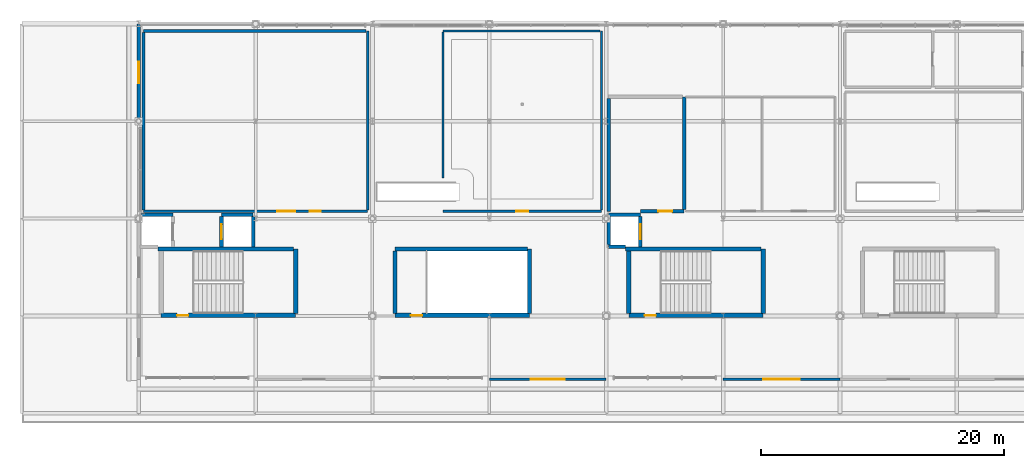
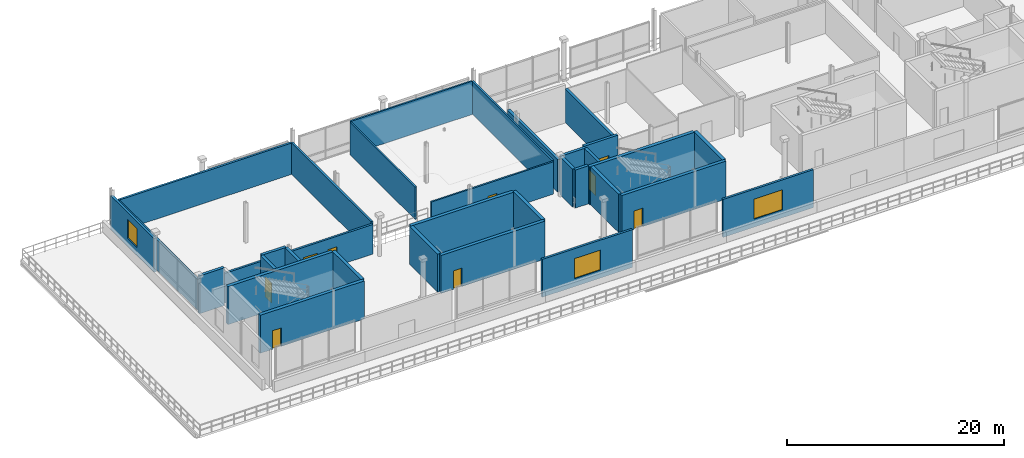
# One storey, part 16 of 26: 33 walls, 9 doors, 3 windows, 12 openings.
"""IFC4 building model written with IfcOpenShell, lengths in metres."""

from ifc_helpers import new_model, si_unit, direction, frame, frame_2d, origin, place, context, subcontext, project, spatial, rectangle, extrude, material, layer, layer_set, type_object, element, fill, save


model = new_model("IFC4")

# Units and contexts
model_context = context("Model", 3, precision=1e-05, world=origin(), true_north=direction((0.0, 1.0)))
body_context = subcontext(model_context, "Body", "Model", "MODEL_VIEW")
ifc_project = project(units=[si_unit("LENGTHUNIT", "METRE"), si_unit("AREAUNIT", "SQUARE_METRE"), si_unit("VOLUMEUNIT", "CUBIC_METRE"), si_unit("PLANEANGLEUNIT", "RADIAN"), si_unit("MASSUNIT", "GRAM", prefix="KILO")], contexts=[model_context])

# Site, building, storey
site_placement = place(None, origin())
site = spatial("IfcSite", under=ifc_project, at=site_placement, CompositionType="ELEMENT")
building_placement = place(site_placement, origin())
building = spatial("IfcBuilding", under=site, at=building_placement, Name="Danafjord Basin Convention Centre", CompositionType="ELEMENT")
storey_placement = place(building_placement, frame((0.0, 0.0, 24.89990234375)))
storey = spatial("IfcBuildingStorey", under=building, at=storey_placement, Name="L05", CompositionType="ELEMENT", Elevation=24.89990234375)

# Walls
ifc_material_1 = material(Name="Concrete C40/50", Category="concrete")
ifc_layer_1 = layer(ifc_material_1, 0.300048828125)
ifc_layer_set_1 = layer_set([ifc_layer_1], Name="Concrete C40/50")
wall_type_1 = type_object("IfcWallType", Name="WALL-CW-CORE300", PredefinedType="SHEAR", material=ifc_layer_set_1)
wall_1_placement = place(storey_placement, frame((12.39990234375, 24.300048828125, 0.0), z_axis=(0.0, 0.0, 1.0), x_axis=(-1.0, 0.0, 0.0)))
element("IfcWall", 1, at=wall_1_placement, inside=storey, type_object=wall_type_1, Name="Lift LF-FF01 shaft shear wall", PredefinedType="SHEAR", context=body_context, shape_type="SweptSolid", body=[
    extrude(rectangle(XDim=2.599853515625, YDim=0.300048828125, at=frame_2d((1.2998046875, 0.0))), origin(), (0.0, 0.0, 1.0), 4.260009765625),
])
wall_2_placement = place(storey_placement, frame((19.0, 24.300048828125, 0.0), z_axis=(0.0, 0.0, 1.0), x_axis=(-1.0, 0.0, 0.0)))
element("IfcWall", 2, at=wall_2_placement, inside=storey, type_object=wall_type_1, Name="Lift LF-P01 shaft shear wall", PredefinedType="SHEAR", context=body_context, shape_type="SweptSolid", body=[
    extrude(rectangle(XDim=2.60009765625, YDim=0.300048828125, at=frame_2d((1.300048828125, 0.0))), origin(), (0.0, 0.0, 1.0), 4.260009765625),
])
wall_3_placement = place(storey_placement, frame((19.0, 21.6650390625, 0.0), z_axis=(0.0, 0.0, 1.0), x_axis=(0.0, 1.0, 0.0)))
element("IfcWall", 3, at=wall_3_placement, inside=storey, type_object=wall_type_1, Name="Lift LF-P01 shaft shear wall", PredefinedType="SHEAR", context=body_context, shape_type="SweptSolid", body=[
    extrude(rectangle(XDim=2.5, YDim=0.300048828125, at=frame_2d((1.25, 0.0))), origin(), (0.0, 0.0, 1.0), 4.260009765625),
])

# Wall, opening, door
wall_4_placement = place(storey_placement, frame((16.39990234375, 24.1650390625, 0.0), z_axis=(0.0, 0.0, 1.0), x_axis=(0.0, -1.0, 0.0)))
wall_4 = element("IfcWall", 4, at=wall_4_placement, inside=storey, type_object=wall_type_1, Name="Lift LF-P01 shaft shear wall", PredefinedType="SHEAR", context=body_context, shape_type="SweptSolid", body=[
    extrude(rectangle(XDim=2.5, YDim=0.300048828125, at=frame_2d((1.25, 0.0))), origin(), (0.0, 0.0, 1.0), 4.260009765625),
])
opening_1_placement = place(wall_4_placement, frame((0.64990234375, 0.0, 0.0)))
opening_1 = element("IfcOpeningElement", 5, at=opening_1_placement, cuts=wall_4, Name="Opening LD-P01", PredefinedType="OPENING", context=body_context, shape_type="SweptSolid", body=[
    extrude(rectangle(XDim=1.199951171875, YDim=2.199951171875, at=frame_2d((0.60009765625, 1.10009765625))), frame((0.0, 0.159912109375, 0.0), z_axis=(0.0, -1.0, 0.0), x_axis=(1.0, 0.0, 0.0)), (0.0, 0.0, 1.0), 0.320068359375),
])
ifc_material_2 = material(Name="Brushed stainless steel and acoustic laminated glass", Category="steel")
door_type_1 = type_object("IfcDoorType", Name="DOOR-LD-P01", OperationType="DOUBLE_DOOR_SLIDING", PredefinedType="DOOR", material=ifc_material_2)
door_1_placement = place(opening_1_placement, origin())
door_1 = element("IfcDoor", 6, at=door_1_placement, inside=storey, type_object=door_type_1, Name="Lift LF-P01 L05 Landing Door", OperationType="DOUBLE_DOOR_SLIDING", OverallHeight=2.199951171875, OverallWidth=1.199951171875, PredefinedType="DOOR", context=body_context, shape_type="SweptSolid", body=[
    extrude(rectangle(XDim=1.199951171875, YDim=2.199951171875, at=frame_2d((0.60009765625, 1.10009765625))), frame((0.0, 0.02490234375, 0.0), z_axis=(0.0, -1.0, 0.0), x_axis=(1.0, 0.0, 0.0)), (0.0, 0.0, 1.0), 0.050048828125),
])
fill(opening_1, door_1)

# Walls
wall_5_placement = place(storey_placement, frame((50.800048828125, 24.300048828125, 0.0), z_axis=(0.0, 0.0, 1.0), x_axis=(-1.0, 0.0, 0.0)))
element("IfcWall", 7, at=wall_5_placement, inside=storey, type_object=wall_type_1, Name="Lift LF-P03 shaft shear wall", PredefinedType="SHEAR", context=body_context, shape_type="SweptSolid", body=[
    extrude(rectangle(XDim=2.60009765625, YDim=0.300048828125, at=frame_2d((1.300048828125, 0.0))), origin(), (0.0, 0.0, 1.0), 4.27001953125),
])
wall_6_placement = place(storey_placement, frame((48.199951171875, 21.699951171875, 0.0), z_axis=(0.0, 0.0, 1.0), x_axis=(1.0, 0.0, 0.0)))
element("IfcWall", 8, at=wall_6_placement, inside=storey, type_object=wall_type_1, Name="Lift LF-P03 shaft shear wall", PredefinedType="SHEAR", context=body_context, shape_type="SweptSolid", body=[
    extrude(rectangle(XDim=1.400146484375, YDim=0.300048828125, at=frame_2d((0.7001953125, 0.0))), origin(), (0.0, 0.0, 1.0), 4.27001953125),
])

# Wall, opening, door
wall_7_placement = place(storey_placement, frame((50.800048828125, 21.6650390625, 0.0), z_axis=(0.0, 0.0, 1.0), x_axis=(0.0, 1.0, 0.0)))
wall_7 = element("IfcWall", 9, at=wall_7_placement, inside=storey, type_object=wall_type_1, Name="Lift LF-P03 shaft shear wall", PredefinedType="SHEAR", context=body_context, shape_type="SweptSolid", body=[
    extrude(rectangle(XDim=2.5, YDim=0.300048828125, at=frame_2d((1.25, 0.0))), origin(), (0.0, 0.0, 1.0), 4.27001953125),
])
opening_2_placement = place(wall_7_placement, frame((0.64990234375, 0.0, 0.0)))
opening_2 = element("IfcOpeningElement", 10, at=opening_2_placement, cuts=wall_7, Name="Opening LD-P01", PredefinedType="OPENING", context=body_context, shape_type="SweptSolid", body=[
    extrude(rectangle(XDim=1.199951171875, YDim=2.199951171875, at=frame_2d((0.60009765625, 1.10009765625))), frame((0.0, 0.159912109375, 0.0), z_axis=(0.0, -1.0, 0.0), x_axis=(1.0, 0.0, 0.0)), (0.0, 0.0, 1.0), 0.320068359375),
])
door_2_placement = place(opening_2_placement, origin())
door_2 = element("IfcDoor", 11, at=door_2_placement, inside=storey, type_object=door_type_1, Name="Lift LF-P03 L05 Landing Door", OperationType="DOUBLE_DOOR_SLIDING", OverallHeight=2.199951171875, OverallWidth=1.199951171875, PredefinedType="DOOR", context=body_context, shape_type="SweptSolid", body=[
    extrude(rectangle(XDim=1.199951171875, YDim=2.199951171875, at=frame_2d((0.60009765625, 1.10009765625))), frame((0.0, 0.02490234375, 0.0), z_axis=(0.0, -1.0, 0.0), x_axis=(1.0, 0.0, 0.0)), (0.0, 0.0, 1.0), 0.050048828125),
])
fill(opening_2, door_2)

# Wall
wall_8_placement = place(storey_placement, frame((48.199951171875, 24.1650390625, 0.0), z_axis=(0.0, 0.0, 1.0), x_axis=(0.0, -1.0, 0.0)))
element("IfcWall", 12, at=wall_8_placement, inside=storey, type_object=wall_type_1, Name="Lift LF-P03 shaft shear wall", PredefinedType="SHEAR", context=body_context, shape_type="SweptSolid", body=[
    extrude(rectangle(XDim=2.330078125, YDim=0.300048828125, at=frame_2d((1.1650390625, 0.0))), origin(), (0.0, 0.0, 1.0), 4.27001953125),
])

# Wall, opening, door
ifc_material_3 = material(Name="Concrete C45/55", Category="concrete")
ifc_layer_2 = layer(ifc_material_3, 0.35009765625)
ifc_layer_set_2 = layer_set([ifc_layer_2], Name="Concrete C45/55")
wall_type_2 = type_object("IfcWallType", Name="WALL-CW-CORE350", PredefinedType="SHEAR", material=ifc_layer_set_2)
wall_9_placement = place(storey_placement, frame((11.449951171875, 16.050048828125, 0.0), z_axis=(0.0, 0.0, 1.0), x_axis=(1.0, 0.0, 0.0)))
wall_9 = element("IfcWall", 13, at=wall_9_placement, inside=storey, type_object=wall_type_2, Name="West Harbour Core Stair 1 core shear wall (south)", PredefinedType="SHEAR", context=body_context, shape_type="SweptSolid", body=[
    extrude(rectangle(XDim=11.0400390625, YDim=0.35009765625, at=frame_2d((5.52001953125, 0.0))), origin(), (0.0, 0.0, 1.0), 4.27001953125),
])
opening_3_placement = place(wall_9_placement, frame((1.31201171875, 0.0, 0.0)))
opening_3 = element("IfcOpeningElement", 14, at=opening_3_placement, cuts=wall_9, Name="Opening FD-S01", PredefinedType="OPENING", context=body_context, shape_type="SweptSolid", body=[
    extrude(rectangle(XDim=0.909912109375, YDim=2.080078125, at=frame_2d((0.455078125, 1.0400390625))), frame((0.0, 0.18505859375, 0.0), z_axis=(0.0, -1.0, 0.0), x_axis=(1.0, 0.0, 0.0)), (0.0, 0.0, 1.0), 0.3701171875),
])
ifc_material_4 = material(Name="Powder-coated steel and Nordic oak", Category="steel")
door_type_2 = type_object("IfcDoorType", Name="DOOR-FD-S01", OperationType="NOTDEFINED", PredefinedType="DOOR", material=ifc_material_4)
door_3_placement = place(opening_3_placement, origin())
door_3 = element("IfcDoor", 15, at=door_3_placement, inside=storey, type_object=door_type_2, Name="West Harbour Core Stair 1 L05 Fire Exit Door", OperationType="SINGLE_SWING_LEFT", OverallHeight=2.080078125, OverallWidth=0.909912109375, PredefinedType="DOOR", context=body_context, shape_type="SweptSolid", body=[
    extrude(rectangle(XDim=0.909912109375, YDim=2.080078125, at=frame_2d((0.455078125, 1.0400390625))), frame((0.0, 0.02490234375, 0.0), z_axis=(0.0, -1.0, 0.0), x_axis=(1.0, 0.0, 0.0)), (0.0, 0.0, 1.0), 0.050048828125),
])
fill(opening_3, door_3)

# Walls
wall_10_placement = place(storey_placement, frame((22.489990234375, 16.2099609375, 0.0), z_axis=(0.0, 0.0, 1.0), x_axis=(0.0, 1.0, 0.0)))
element("IfcWall", 16, at=wall_10_placement, inside=storey, type_object=wall_type_2, Name="West Harbour Core Stair 1 core shear wall (east)", PredefinedType="SHEAR", context=body_context, shape_type="SweptSolid", body=[
    extrude(rectangle(XDim=5.300048828125, YDim=0.35009765625, at=frame_2d((2.64990234375, 0.0))), origin(), (0.0, 0.0, 1.0), 4.27001953125),
])
wall_11_placement = place(storey_placement, frame((22.330078125, 21.510009765625, 0.0), z_axis=(0.0, 0.0, 1.0), x_axis=(-1.0, 0.0, 0.0)))
element("IfcWall", 17, at=wall_11_placement, inside=storey, type_object=wall_type_2, Name="West Harbour Core Stair 1 core shear wall (north)", PredefinedType="SHEAR", context=body_context, shape_type="SweptSolid", body=[
    extrude(rectangle(XDim=11.150146484375, YDim=0.35009765625, at=frame_2d((5.5751953125, 0.0))), origin(), (0.0, 0.0, 1.0), 4.27001953125),
])

# Wall, opening, door
wall_12_placement = place(storey_placement, frame((49.85009765625, 16.050048828125, 0.0), z_axis=(0.0, 0.0, 1.0), x_axis=(1.0, 0.0, 0.0)))
wall_12 = element("IfcWall", 18, at=wall_12_placement, inside=storey, type_object=wall_type_2, Name="Mid-Arc Meeting Core Stair 1 core shear wall (south)", PredefinedType="SHEAR", context=body_context, shape_type="SweptSolid", body=[
    extrude(rectangle(XDim=11.039794921875, YDim=0.35009765625, at=frame_2d((5.52001953125, 0.0))), origin(), (0.0, 0.0, 1.0), 4.27001953125),
])
opening_4_placement = place(wall_12_placement, frame((1.31201171875, 0.0, 0.0)))
opening_4 = element("IfcOpeningElement", 19, at=opening_4_placement, cuts=wall_12, Name="Opening FD-S01", PredefinedType="OPENING", context=body_context, shape_type="SweptSolid", body=[
    extrude(rectangle(XDim=0.909912109375, YDim=2.080078125, at=frame_2d((0.455078125, 1.0400390625))), frame((0.0, 0.18505859375, 0.0), z_axis=(0.0, -1.0, 0.0), x_axis=(1.0, 0.0, 0.0)), (0.0, 0.0, 1.0), 0.3701171875),
])
door_4_placement = place(opening_4_placement, origin())
door_4 = element("IfcDoor", 20, at=door_4_placement, inside=storey, type_object=door_type_2, Name="Mid-Arc Meeting Core Stair 1 L05 Fire Exit Door", OperationType="SINGLE_SWING_LEFT", OverallHeight=2.080078125, OverallWidth=0.909912109375, PredefinedType="DOOR", context=body_context, shape_type="SweptSolid", body=[
    extrude(rectangle(XDim=0.909912109375, YDim=2.080078125, at=frame_2d((0.455078125, 1.0400390625))), frame((0.0, 0.02490234375, 0.0), z_axis=(0.0, -1.0, 0.0), x_axis=(1.0, 0.0, 0.0)), (0.0, 0.0, 1.0), 0.050048828125),
])
fill(opening_4, door_4)

# Walls
wall_13_placement = place(storey_placement, frame((60.889892578125, 16.2099609375, 0.0), z_axis=(0.0, 0.0, 1.0), x_axis=(0.0, 1.0, 0.0)))
element("IfcWall", 21, at=wall_13_placement, inside=storey, type_object=wall_type_2, Name="Mid-Arc Meeting Core Stair 1 core shear wall (east)", PredefinedType="SHEAR", context=body_context, shape_type="SweptSolid", body=[
    extrude(rectangle(XDim=5.300048828125, YDim=0.35009765625, at=frame_2d((2.64990234375, 0.0))), origin(), (0.0, 0.0, 1.0), 4.27001953125),
])
wall_14_placement = place(storey_placement, frame((60.72998046875, 21.510009765625, 0.0), z_axis=(0.0, 0.0, 1.0), x_axis=(-1.0, 0.0, 0.0)))
element("IfcWall", 22, at=wall_14_placement, inside=storey, type_object=wall_type_2, Name="Mid-Arc Meeting Core Stair 1 core shear wall (north)", PredefinedType="SHEAR", context=body_context, shape_type="SweptSolid", body=[
    extrude(rectangle(XDim=11.14990234375, YDim=0.35009765625, at=frame_2d((5.574951171875, 0.0))), origin(), (0.0, 0.0, 1.0), 4.27001953125),
])
wall_15_placement = place(storey_placement, frame((49.85009765625, 21.35009765625, 0.0), z_axis=(0.0, 0.0, 1.0), x_axis=(0.0, -1.0, 0.0)))
element("IfcWall", 23, at=wall_15_placement, inside=storey, type_object=wall_type_2, Name="Mid-Arc Meeting Core Stair 1 core shear wall (west)", PredefinedType="SHEAR", context=body_context, shape_type="SweptSolid", body=[
    extrude(rectangle(XDim=5.14013671875, YDim=0.35009765625, at=frame_2d((2.570068359375, 0.0))), origin(), (0.0, 0.0, 1.0), 4.27001953125),
])

# Wall, opening, door
wall_16_placement = place(storey_placement, frame((30.64990234375, 16.050048828125, 0.0), z_axis=(0.0, 0.0, 1.0), x_axis=(1.0, 0.0, 0.0)))
wall_16 = element("IfcWall", 24, at=wall_16_placement, inside=storey, type_object=wall_type_2, Name="West Harbour Escape Stair 2 core shear wall (south)", PredefinedType="SHEAR", context=body_context, shape_type="SweptSolid", body=[
    extrude(rectangle(XDim=11.0400390625, YDim=0.35009765625, at=frame_2d((5.52001953125, 0.0))), origin(), (0.0, 0.0, 1.0), 4.27001953125),
])
opening_5_placement = place(wall_16_placement, frame((1.31201171875, 0.0, 0.0)))
opening_5 = element("IfcOpeningElement", 25, at=opening_5_placement, cuts=wall_16, Name="Opening FD-S01", PredefinedType="OPENING", context=body_context, shape_type="SweptSolid", body=[
    extrude(rectangle(XDim=0.909912109375, YDim=2.080078125, at=frame_2d((0.455078125, 1.0400390625))), frame((0.0, 0.18505859375, 0.0), z_axis=(0.0, -1.0, 0.0), x_axis=(1.0, 0.0, 0.0)), (0.0, 0.0, 1.0), 0.3701171875),
])
door_5_placement = place(opening_5_placement, origin())
door_5 = element("IfcDoor", 26, at=door_5_placement, inside=storey, type_object=door_type_2, Name="West Harbour Escape Stair 2 L05 Fire Exit Door", OperationType="SINGLE_SWING_RIGHT", OverallHeight=2.080078125, OverallWidth=0.909912109375, PredefinedType="DOOR", context=body_context, shape_type="SweptSolid", body=[
    extrude(rectangle(XDim=0.909912109375, YDim=2.080078125, at=frame_2d((0.455078125, 1.0400390625))), frame((0.0, 0.02490234375, 0.0), z_axis=(0.0, -1.0, 0.0), x_axis=(1.0, 0.0, 0.0)), (0.0, 0.0, 1.0), 0.050048828125),
])
fill(opening_5, door_5)

# Walls
wall_17_placement = place(storey_placement, frame((41.68994140625, 16.2099609375, 0.0), z_axis=(0.0, 0.0, 1.0), x_axis=(0.0, 1.0, 0.0)))
element("IfcWall", 27, at=wall_17_placement, inside=storey, type_object=wall_type_2, Name="West Harbour Escape Stair 2 core shear wall (east)", PredefinedType="SHEAR", context=body_context, shape_type="SweptSolid", body=[
    extrude(rectangle(XDim=5.300048828125, YDim=0.35009765625, at=frame_2d((2.64990234375, 0.0))), origin(), (0.0, 0.0, 1.0), 4.27001953125),
])
wall_18_placement = place(storey_placement, frame((41.530029296875, 21.510009765625, 0.0), z_axis=(0.0, 0.0, 1.0), x_axis=(-1.0, 0.0, 0.0)))
element("IfcWall", 28, at=wall_18_placement, inside=storey, type_object=wall_type_2, Name="West Harbour Escape Stair 2 core shear wall (north)", PredefinedType="SHEAR", context=body_context, shape_type="SweptSolid", body=[
    extrude(rectangle(XDim=10.880126953125, YDim=0.35009765625, at=frame_2d((5.43994140625, 0.0))), origin(), (0.0, 0.0, 1.0), 4.27001953125),
])
wall_19_placement = place(storey_placement, frame((30.64990234375, 21.35009765625, 0.0), z_axis=(0.0, 0.0, 1.0), x_axis=(0.0, -1.0, 0.0)))
element("IfcWall", 29, at=wall_19_placement, inside=storey, type_object=wall_type_2, Name="West Harbour Escape Stair 2 core shear wall (west)", PredefinedType="SHEAR", context=body_context, shape_type="SweptSolid", body=[
    extrude(rectangle(XDim=5.14013671875, YDim=0.35009765625, at=frame_2d((2.570068359375, 0.0))), origin(), (0.0, 0.0, 1.0), 4.27001953125),
])

# Wall, opening, window
ifc_material_5 = material(Name="Concrete C35/45", Category="concrete")
ifc_layer_3 = layer(ifc_material_5, 0.22998046875)
ifc_layer_set_3 = layer_set([ifc_layer_3], Name="Concrete C35/45")
wall_type_3 = type_object("IfcWallType", Name="WALL-EW-STD230", PredefinedType="STANDARD", material=ifc_layer_set_3)
wall_20_placement = place(storey_placement, frame((38.39990234375, 10.800048828125, 0.0), z_axis=(0.0, 0.0, 1.0), x_axis=(1.0, 0.0, 0.0)))
wall_20 = element("IfcWall", 30, at=wall_20_placement, inside=storey, type_object=wall_type_3, Name="L05 harbourfront precast facade bay 4", PredefinedType="STANDARD", context=body_context, shape_type="SweptSolid", body=[
    extrude(rectangle(XDim=9.60009765625, YDim=0.22998046875, at=frame_2d((4.800048828125, 0.0))), origin(), (0.0, 0.0, 1.0), 4.260009765625),
])
opening_6_placement = place(wall_20_placement, frame((3.39990234375, 0.0, 0.89990234375)))
opening_6 = element("IfcOpeningElement", 31, at=opening_6_placement, cuts=wall_20, Name="Opening WN-09", PredefinedType="OPENING", context=body_context, shape_type="SweptSolid", body=[
    extrude(rectangle(XDim=2.800048828125, YDim=2.25, at=frame_2d((1.39990234375, 1.125))), frame((0.0, 0.125, 0.0), z_axis=(0.0, -1.0, 0.0), x_axis=(1.0, 0.0, 0.0)), (0.0, 0.0, 1.0), 0.25),
])
ifc_material_6 = material(Name="Thermally broken aluminium and triple low-E glass", Category="aluminium")
window_type_1 = type_object("IfcWindowType", Name="WIN-WN-09", PartitioningType="SINGLE_PANEL", PredefinedType="WINDOW", material=ifc_material_6)
window_1_placement = place(opening_6_placement, origin())
window_1 = element("IfcWindow", 32, at=window_1_placement, inside=storey, type_object=window_type_1, Name="L05 harbour window WN-09", OverallHeight=2.25, OverallWidth=2.800048828125, PartitioningType="SINGLE_PANEL", PredefinedType="WINDOW", context=body_context, shape_type="SweptSolid", body=[
    extrude(rectangle(XDim=2.800048828125, YDim=2.25, at=frame_2d((1.39990234375, 1.125))), frame((0.0, 0.030029296875, 0.0), z_axis=(0.0, -1.0, 0.0), x_axis=(1.0, 0.0, 0.0)), (0.0, 0.0, 1.0), 0.06005859375),
])
fill(opening_6, window_1)

wall_21_placement = place(storey_placement, frame((57.60009765625, 10.800048828125, 0.0), z_axis=(0.0, 0.0, 1.0), x_axis=(1.0, 0.0, 0.0)))
wall_21 = element("IfcWall", 33, at=wall_21_placement, inside=storey, type_object=wall_type_3, Name="L05 harbourfront precast facade bay 6", PredefinedType="STANDARD", context=body_context, shape_type="SweptSolid", body=[
    extrude(rectangle(XDim=9.599853515625, YDim=0.22998046875, at=frame_2d((4.7998046875, 0.0))), origin(), (0.0, 0.0, 1.0), 4.260009765625),
])
opening_7_placement = place(wall_21_placement, frame((3.300048828125, 0.0, 0.89990234375)))
opening_7 = element("IfcOpeningElement", 34, at=opening_7_placement, cuts=wall_21, Name="Opening WN-10", PredefinedType="OPENING", context=body_context, shape_type="SweptSolid", body=[
    extrude(rectangle(XDim=3.0, YDim=2.25, at=frame_2d((1.5, 1.125))), frame((0.0, 0.125, 0.0), z_axis=(0.0, -1.0, 0.0), x_axis=(1.0, 0.0, 0.0)), (0.0, 0.0, 1.0), 0.25),
])
window_type_2 = type_object("IfcWindowType", Name="WIN-WN-10", PartitioningType="SINGLE_PANEL", PredefinedType="WINDOW", material=ifc_material_6)
window_2_placement = place(opening_7_placement, origin())
window_2 = element("IfcWindow", 35, at=window_2_placement, inside=storey, type_object=window_type_2, Name="L05 harbour window WN-10", OverallHeight=2.25, OverallWidth=3.0, PartitioningType="SINGLE_PANEL", PredefinedType="WINDOW", context=body_context, shape_type="SweptSolid", body=[
    extrude(rectangle(XDim=3.0, YDim=2.25, at=frame_2d((1.5, 1.125))), frame((0.0, 0.030029296875, 0.0), z_axis=(0.0, -1.0, 0.0), x_axis=(1.0, 0.0, 0.0)), (0.0, 0.0, 1.0), 0.06005859375),
])
fill(opening_7, window_2)

ifc_layer_4 = layer(ifc_material_5, 0.260009765625)
ifc_layer_set_4 = layer_set([ifc_layer_4], Name="Concrete C35/45")
wall_type_4 = type_object("IfcWallType", Name="WALL-EW-STD260", PredefinedType="STANDARD", material=ifc_layer_set_4)
wall_22_placement = place(storey_placement, frame((9.60009765625, 32.0, 0.0), z_axis=(0.0, 0.0, 1.0), x_axis=(0.0, 1.0, 0.0)))
wall_22 = element("IfcWall", 36, at=wall_22_placement, inside=storey, type_object=wall_type_4, Name="L05 W wing facade wall", PredefinedType="STANDARD", context=body_context, shape_type="SweptSolid", body=[
    extrude(rectangle(XDim=8.0, YDim=0.260009765625, at=frame_2d((4.0, 0.0))), origin(), (0.0, 0.0, 1.0), 3.780029296875),
])
opening_8_placement = place(wall_22_placement, frame((3.10009765625, 0.0, 0.89990234375)))
opening_8 = element("IfcOpeningElement", 37, at=opening_8_placement, cuts=wall_22, Name="Opening WN-04", PredefinedType="OPENING", context=body_context, shape_type="SweptSolid", body=[
    extrude(rectangle(XDim=1.800048828125, YDim=2.10009765625, at=frame_2d((0.89990234375, 1.050048828125))), frame((0.0, 0.139892578125, 0.0), z_axis=(0.0, -1.0, 0.0), x_axis=(1.0, 0.0, 0.0)), (0.0, 0.0, 1.0), 0.280029296875),
])
window_type_3 = type_object("IfcWindowType", Name="WIN-WN-04", PartitioningType="SINGLE_PANEL", PredefinedType="WINDOW", material=ifc_material_6)
window_3_placement = place(opening_8_placement, origin())
window_3 = element("IfcWindow", 38, at=window_3_placement, inside=storey, type_object=window_type_3, Name="L05 W window WN-04", OverallHeight=2.10009765625, OverallWidth=1.800048828125, PartitioningType="SINGLE_PANEL", PredefinedType="WINDOW", context=body_context, shape_type="SweptSolid", body=[
    extrude(rectangle(XDim=1.800048828125, YDim=2.10009765625, at=frame_2d((0.89990234375, 1.050048828125))), frame((0.0, 0.030029296875, 0.0), z_axis=(0.0, -1.0, 0.0), x_axis=(1.0, 0.0, 0.0)), (0.0, 0.0, 1.0), 0.06005859375),
])
fill(opening_8, window_3)

# Wall, opening, door
ifc_material_7 = material(Name="Acoustic double-board gypsum stud partition")
ifc_layer_5 = layer(ifc_material_7, 0.175048828125)
ifc_layer_set_5 = layer_set([ifc_layer_5], Name="Acoustic double-board gypsum stud partition")
wall_type_5 = type_object("IfcWallType", Name="WALL-PT-AC175", PredefinedType="PARTITIONING", material=ifc_layer_set_5)
wall_23_placement = place(storey_placement, frame((34.60009765625, 24.60009765625, 0.0), z_axis=(0.0, 0.0, 1.0), x_axis=(1.0, 0.0, 0.0)))
wall_23 = element("IfcWall", 39, at=wall_23_placement, inside=storey, type_object=wall_type_5, Name="Summit Boardroom Suite M502 south partition", PredefinedType="PARTITIONING", context=body_context, shape_type="SweptSolid", body=[
    extrude(rectangle(XDim=13.0, YDim=0.175048828125, at=frame_2d((6.5, 0.0))), origin(), (0.0, 0.0, 1.0), 3.64013671875),
])
opening_9_placement = place(wall_23_placement, frame((6.02490234375, 0.0, 0.0)))
opening_9 = element("IfcOpeningElement", 40, at=opening_9_placement, cuts=wall_23, Name="Opening FD-S10", PredefinedType="OPENING", context=body_context, shape_type="SweptSolid", body=[
    extrude(rectangle(XDim=0.949951171875, YDim=2.179931640625, at=frame_2d((0.47509765625, 1.08984375))), frame((0.0, 0.097412109375, 0.0), z_axis=(0.0, -1.0, 0.0), x_axis=(1.0, 0.0, 0.0)), (0.0, 0.0, 1.0), 0.195068359375),
])
door_type_3 = type_object("IfcDoorType", Name="DOOR-FD-S10", OperationType="NOTDEFINED", PredefinedType="DOOR", material=ifc_material_4)
door_6_placement = place(opening_9_placement, origin())
door_6 = element("IfcDoor", 41, at=door_6_placement, inside=storey, type_object=door_type_3, Name="Summit Boardroom Suite M502 Entrance Door", OperationType="SINGLE_SWING_LEFT", OverallHeight=2.179931640625, OverallWidth=0.949951171875, PredefinedType="DOOR", context=body_context, shape_type="SweptSolid", body=[
    extrude(rectangle(XDim=0.949951171875, YDim=2.179931640625, at=frame_2d((0.47509765625, 1.08984375))), frame((0.0, 0.02490234375, 0.0), z_axis=(0.0, -1.0, 0.0), x_axis=(1.0, 0.0, 0.0)), (0.0, 0.0, 1.0), 0.050048828125),
])
fill(opening_9, door_6)

# Walls
wall_24_placement = place(storey_placement, frame((47.60009765625, 24.69140625, 0.0), z_axis=(0.0, 0.0, 1.0), x_axis=(0.0, 1.0, 0.0)))
element("IfcWall", 42, at=wall_24_placement, inside=storey, type_object=wall_type_5, Name="Summit Boardroom Suite M502 east partition", PredefinedType="PARTITIONING", context=body_context, shape_type="SweptSolid", body=[
    extrude(rectangle(XDim=14.70849609375, YDim=0.175048828125, at=frame_2d((7.354248046875, 0.0))), origin(), (0.0, 0.0, 1.0), 3.68017578125),
])
wall_25_placement = place(storey_placement, frame((47.508544921875, 39.39990234375, 0.0), z_axis=(0.0, 0.0, 1.0), x_axis=(-1.0, 0.0, 0.0)))
element("IfcWall", 43, at=wall_25_placement, inside=storey, type_object=wall_type_5, Name="Summit Boardroom Suite M502 north partition", PredefinedType="PARTITIONING", context=body_context, shape_type="SweptSolid", body=[
    extrude(rectangle(XDim=12.908447265625, YDim=0.175048828125, at=frame_2d((6.4541015625, 0.0))), origin(), (0.0, 0.0, 1.0), 3.72998046875),
])
wall_26_placement = place(storey_placement, frame((34.60009765625, 39.30859375, 0.0), z_axis=(0.0, 0.0, 1.0), x_axis=(0.0, -1.0, 0.0)))
element("IfcWall", 44, at=wall_26_placement, inside=storey, type_object=wall_type_5, Name="Summit Boardroom Suite M502 west partition", PredefinedType="PARTITIONING", context=body_context, shape_type="SweptSolid", body=[
    extrude(rectangle(XDim=11.95849609375, YDim=0.175048828125, at=frame_2d((5.979248046875, 0.0))), origin(), (0.0, 0.0, 1.0), 3.630126953125),
])

# Wall, openings, doors
ifc_material_8 = material(Name="Acoustic twin-stud gypsum and mineral wool")
ifc_layer_6 = layer(ifc_material_8, 0.219970703125)
ifc_layer_set_6 = layer_set([ifc_layer_6], Name="Acoustic twin-stud gypsum and mineral wool")
wall_type_6 = type_object("IfcWallType", Name="WALL-PT-AC220", PredefinedType="PARTITIONING", material=ifc_layer_set_6)
wall_27_placement = place(storey_placement, frame((10.0, 24.60009765625, 0.0), z_axis=(0.0, 0.0, 1.0), x_axis=(1.0, 0.0, 0.0)))
wall_27 = element("IfcWall", 45, at=wall_27_placement, inside=storey, type_object=wall_type_6, Name="Nordic Summit Conference Room C501 south partition", PredefinedType="PARTITIONING", context=body_context, shape_type="SweptSolid", body=[
    extrude(rectangle(XDim=18.39990234375, YDim=0.219970703125, at=frame_2d((9.199951171875, 0.0))), origin(), (0.0, 0.0, 1.0), 3.330078125),
])
opening_10_placement = place(wall_27_placement, frame((10.998046875, 0.0, 0.0)))
opening_10 = element("IfcOpeningElement", 46, at=opening_10_placement, cuts=wall_27, Name="Opening FD-D08", PredefinedType="OPENING", context=body_context, shape_type="SweptSolid", body=[
    extrude(rectangle(XDim=1.47998046875, YDim=2.159912109375, at=frame_2d((0.739990234375, 1.080078125))), frame((0.0, 0.119873046875, 0.0), z_axis=(0.0, -1.0, 0.0), x_axis=(1.0, 0.0, 0.0)), (0.0, 0.0, 1.0), 0.239990234375),
])
opening_11_placement = place(wall_27_placement, frame((13.634033203125, 0.0, 0.0)))
opening_11 = element("IfcOpeningElement", 47, at=opening_11_placement, cuts=wall_27, Name="Opening FD-S09", PredefinedType="OPENING", context=body_context, shape_type="SweptSolid", body=[
    extrude(rectangle(XDim=0.919921875, YDim=2.14990234375, at=frame_2d((0.4599609375, 1.074951171875))), frame((0.0, 0.119873046875, 0.0), z_axis=(0.0, -1.0, 0.0), x_axis=(1.0, 0.0, 0.0)), (0.0, 0.0, 1.0), 0.239990234375),
])
door_type_4 = type_object("IfcDoorType", Name="DOOR-FD-D08", OperationType="DOUBLE_DOOR_SINGLE_SWING", PredefinedType="DOOR", material=ifc_material_2)
door_7_placement = place(opening_10_placement, origin())
door_7 = element("IfcDoor", 48, at=door_7_placement, inside=storey, type_object=door_type_4, Name="Nordic Summit Conference Room C501 Entrance Door", OperationType="DOUBLE_DOOR_SINGLE_SWING", OverallHeight=2.159912109375, OverallWidth=1.47998046875, PredefinedType="DOOR", context=body_context, shape_type="SweptSolid", body=[
    extrude(rectangle(XDim=1.47998046875, YDim=2.159912109375, at=frame_2d((0.739990234375, 1.080078125))), frame((0.0, 0.02490234375, 0.0), z_axis=(0.0, -1.0, 0.0), x_axis=(1.0, 0.0, 0.0)), (0.0, 0.0, 1.0), 0.050048828125),
])
fill(opening_10, door_7)
door_type_5 = type_object("IfcDoorType", Name="DOOR-FD-S09", OperationType="NOTDEFINED", PredefinedType="DOOR", material=ifc_material_4)
door_8_placement = place(opening_11_placement, origin())
door_8 = element("IfcDoor", 49, at=door_8_placement, inside=storey, type_object=door_type_5, Name="Nordic Summit Conference Room C501 Secondary Exit Door", OperationType="SINGLE_SWING_RIGHT", OverallHeight=2.14990234375, OverallWidth=0.919921875, PredefinedType="DOOR", context=body_context, shape_type="SweptSolid", body=[
    extrude(rectangle(XDim=0.919921875, YDim=2.14990234375, at=frame_2d((0.4599609375, 1.074951171875))), frame((0.0, 0.02490234375, 0.0), z_axis=(0.0, -1.0, 0.0), x_axis=(1.0, 0.0, 0.0)), (0.0, 0.0, 1.0), 0.050048828125),
])
fill(opening_11, door_8)

# Walls
wall_28_placement = place(storey_placement, frame((28.39990234375, 24.714111328125, 0.0), z_axis=(0.0, 0.0, 1.0), x_axis=(0.0, 1.0, 0.0)))
element("IfcWall", 50, at=wall_28_placement, inside=storey, type_object=wall_type_6, Name="Nordic Summit Conference Room C501 east partition", PredefinedType="PARTITIONING", context=body_context, shape_type="SweptSolid", body=[
    extrude(rectangle(XDim=14.685791015625, YDim=0.219970703125, at=frame_2d((7.3427734375, 0.0))), origin(), (0.0, 0.0, 1.0), 3.530029296875),
])
wall_29_placement = place(storey_placement, frame((28.285888671875, 39.39990234375, 0.0), z_axis=(0.0, 0.0, 1.0), x_axis=(-1.0, 0.0, 0.0)))
element("IfcWall", 51, at=wall_29_placement, inside=storey, type_object=wall_type_6, Name="Nordic Summit Conference Room C501 north partition", PredefinedType="PARTITIONING", context=body_context, shape_type="SweptSolid", body=[
    extrude(rectangle(XDim=18.285888671875, YDim=0.219970703125, at=frame_2d((9.14306640625, 0.0))), origin(), (0.0, 0.0, 1.0), 3.530029296875),
])
wall_30_placement = place(storey_placement, frame((10.0, 39.285888671875, 0.0), z_axis=(0.0, 0.0, 1.0), x_axis=(0.0, -1.0, 0.0)))
element("IfcWall", 52, at=wall_30_placement, inside=storey, type_object=wall_type_6, Name="Nordic Summit Conference Room C501 west partition", PredefinedType="PARTITIONING", context=body_context, shape_type="SweptSolid", body=[
    extrude(rectangle(XDim=14.57177734375, YDim=0.219970703125, at=frame_2d((7.285888671875, 0.0))), origin(), (0.0, 0.0, 1.0), 3.43017578125),
])

# Wall, opening, door
ifc_material_9 = material(Name="Sanitary service-chase stud wall")
ifc_layer_7 = layer(ifc_material_9, 0.284912109375)
ifc_layer_set_7 = layer_set([ifc_layer_7], Name="Sanitary service-chase stud wall")
wall_type_7 = type_object("IfcWallType", Name="WALL-PT-PLB285", PredefinedType="PLUMBINGWALL", material=ifc_layer_set_7)
wall_31_placement = place(storey_placement, frame((50.80810546875, 24.60009765625, 0.0), z_axis=(0.0, 0.0, 1.0), x_axis=(1.0, 0.0, 0.0)))
wall_31 = element("IfcWall", 53, at=wall_31_placement, inside=storey, type_object=wall_type_7, Name="Level 5 Sky Male Toilet south partition", PredefinedType="PLUMBINGWALL", context=body_context, shape_type="SweptSolid", body=[
    extrude(rectangle(XDim=3.591796875, YDim=0.284912109375, at=frame_2d((1.7958984375, 0.0))), origin(), (0.0, 0.0, 1.0), 4.27001953125),
])
opening_12_placement = place(wall_31_placement, frame((1.47705078125, 0.0, 0.0)))
opening_12 = element("IfcOpeningElement", 54, at=opening_12_placement, cuts=wall_31, Name="Opening FD-S16", PredefinedType="OPENING", context=body_context, shape_type="SweptSolid", body=[
    extrude(rectangle(XDim=1.1298828125, YDim=2.300048828125, at=frame_2d((0.56494140625, 1.14990234375))), frame((0.0, 0.15234375, 0.0), z_axis=(0.0, -1.0, 0.0), x_axis=(1.0, 0.0, 0.0)), (0.0, 0.0, 1.0), 0.304931640625),
])
door_type_6 = type_object("IfcDoorType", Name="DOOR-FD-S16", OperationType="NOTDEFINED", PredefinedType="DOOR", material=ifc_material_4)
door_9_placement = place(opening_12_placement, origin())
door_9 = element("IfcDoor", 55, at=door_9_placement, inside=storey, type_object=door_type_6, Name="Level 5 Sky Male Toilet Entrance Door", OperationType="SINGLE_SWING_LEFT", OverallHeight=2.300048828125, OverallWidth=1.1298828125, PredefinedType="DOOR", context=body_context, shape_type="SweptSolid", body=[
    extrude(rectangle(XDim=1.1298828125, YDim=2.300048828125, at=frame_2d((0.56494140625, 1.14990234375))), frame((0.0, 0.02490234375, 0.0), z_axis=(0.0, -1.0, 0.0), x_axis=(1.0, 0.0, 0.0)), (0.0, 0.0, 1.0), 0.050048828125),
])
fill(opening_12, door_9)

# Walls
wall_32_placement = place(storey_placement, frame((54.39990234375, 24.74658203125, 0.0), z_axis=(0.0, 0.0, 1.0), x_axis=(0.0, 1.0, 0.0)))
element("IfcWall", 56, at=wall_32_placement, inside=storey, type_object=wall_type_7, Name="Level 5 Sky Male Toilet east partition", PredefinedType="PLUMBINGWALL", context=body_context, shape_type="SweptSolid", body=[
    extrude(rectangle(XDim=9.25341796875, YDim=0.284912109375, at=frame_2d((4.626708984375, 0.0))), origin(), (0.0, 0.0, 1.0), 3.72998046875),
])
wall_33_placement = place(storey_placement, frame((48.199951171875, 33.853515625, 0.0), z_axis=(0.0, 0.0, 1.0), x_axis=(0.0, -1.0, 0.0)))
element("IfcWall", 57, at=wall_33_placement, inside=storey, type_object=wall_type_7, Name="Level 5 Sky Male Toilet west partition", PredefinedType="PLUMBINGWALL", context=body_context, shape_type="SweptSolid", body=[
    extrude(rectangle(XDim=9.25341796875, YDim=0.284912109375, at=frame_2d((4.626708984375, 0.0))), origin(), (0.0, 0.0, 1.0), 3.630126953125),
])

save(model, "model.ifc")
